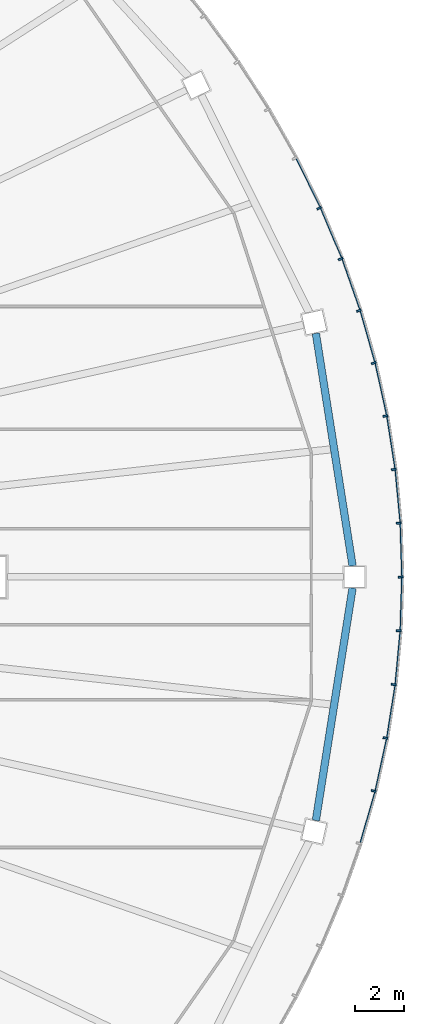
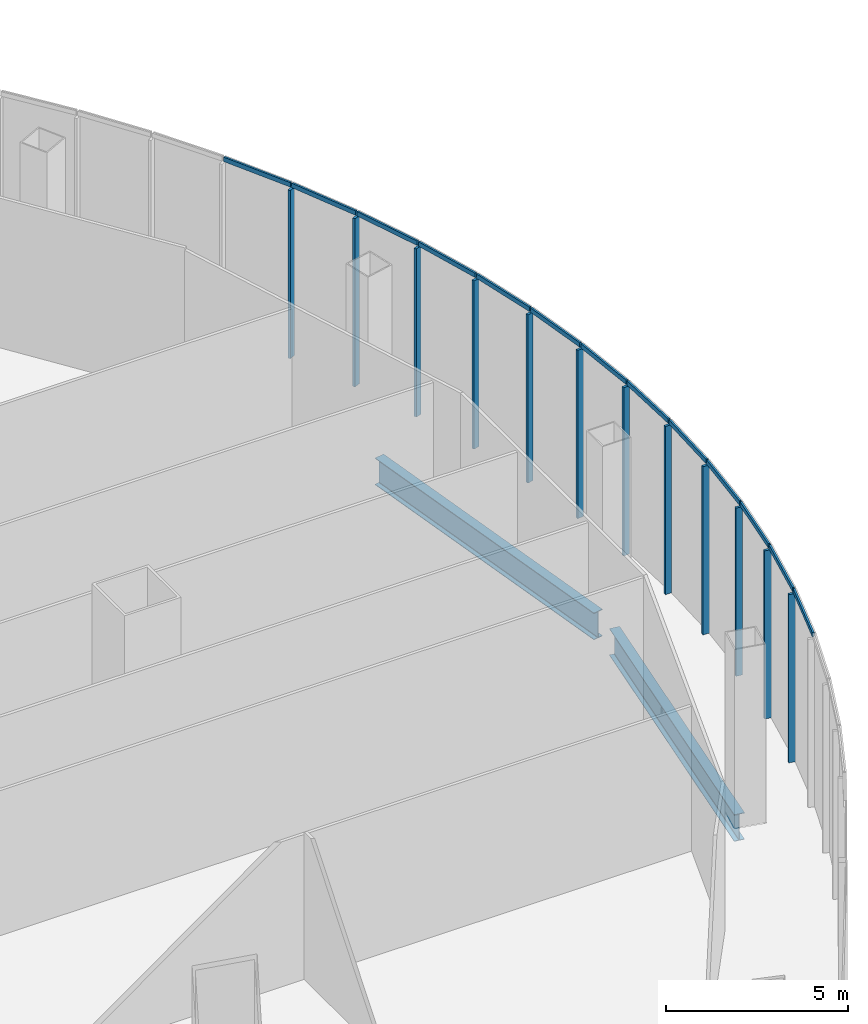
# One storey, part 12 of 37: 25 members, 2 beams, 3 elements without a shape of their own.
"""IFC4 building model written with IfcOpenShell, lengths in metres."""

from ifc_helpers import new_model, si_unit, direction, frame, origin, origin_2d, place, context, subcontext, project, spatial, rectangle, i_section, extrude, material, layer, layer_set, material_profile, profile_set, type_object, element, aggregate, save


model = new_model("IFC4")

# Units and contexts
model_context = context("Model", 3, precision=1e-05, world=origin(), true_north=direction((0.0, 1.0)))
body_context = subcontext(model_context, "Body", "Model", "MODEL_VIEW")
ifc_project = project(units=[si_unit("LENGTHUNIT", "METRE"), si_unit("AREAUNIT", "SQUARE_METRE"), si_unit("VOLUMEUNIT", "CUBIC_METRE"), si_unit("PLANEANGLEUNIT", "RADIAN"), si_unit("MASSUNIT", "GRAM", prefix="KILO")], contexts=[model_context])

# Site, building, storey
site_placement = place(None, origin())
site = spatial("IfcSite", under=ifc_project, at=site_placement, CompositionType="ELEMENT")
building_placement = place(site_placement, origin())
building = spatial("IfcBuilding", under=site, at=building_placement, Name="Sahrelin Media Tower", CompositionType="ELEMENT")
storey_placement = place(building_placement, frame((0.0, 0.0, 31.39990234375)))
storey = spatial("IfcBuildingStorey", under=building, at=storey_placement, Name="L04", CompositionType="ELEMENT", Elevation=31.39990234375)

# Curtain wall, members
ifc_material_1 = material(Name="Champagne anodised aluminium 6063-T6", Category="aluminium")
ifc_layer = layer(ifc_material_1, 0.14990234375)
ifc_layer_set = layer_set([ifc_layer], Name="Podium ribbon curtain wall")
curtain_wall_type = type_object("IfcCurtainWallType", Name="Podium ribbon curtain wall", PredefinedType="NOTDEFINED", material=ifc_layer_set)
curtain_wall_1_placement = place(storey_placement, frame((50.0, 0.0, 0.0), z_axis=(0.0, 0.0, 1.0), x_axis=(1.0, 0.0, 0.0)))
curtain_wall_1 = element("IfcCurtainWall", 1, at=curtain_wall_1_placement, inside=storey, type_object=curtain_wall_type, Name="L04:CW:L04-P00", PredefinedType="NOTDEFINED")
ifc_material_profile_1 = material_profile(ifc_material_1, rectangle(XDim=0.080078125, YDim=0.199951171875, at=origin_2d()), Name="Mullion 80x200")
ifc_profile_set_1 = profile_set([ifc_material_profile_1], Name="Champagne anodised aluminium 6063-T6")
member_type_1 = type_object("IfcMemberType", Name="Mullion 80x200 CW5", PredefinedType="MULLION", material=ifc_profile_set_1)
member_1_placement = place(storey_placement, frame((49.880126953125, -0.003662109375, 0.0), z_axis=(0.0, 0.0, 1.0), x_axis=(-0.031147343317, 0.999514803794, 0.0)))
member_1 = element("IfcMember", 2, at=member_1_placement, type_object=member_type_1, Name="L04:CWM1:L04-P00", PredefinedType="MULLION", context=body_context, shape_type="SweptSolid", body=[
    extrude(rectangle(XDim=0.080078125, YDim=0.199951171875, at=origin_2d()), origin(), (0.0, 0.0, 1.0), 5.650146484375),
])
member_2_placement = place(storey_placement, frame((49.81201171875, 2.18701171875, 0.0), z_axis=(0.0, 0.0, 1.0), x_axis=(-0.09329161754, 0.995638827134, 0.0)))
member_2 = element("IfcMember", 3, at=member_2_placement, type_object=member_type_1, Name="L04:CWM2:L04-P00", PredefinedType="MULLION", context=body_context, shape_type="SweptSolid", body=[
    extrude(rectangle(XDim=0.080078125, YDim=0.199951171875, at=origin_2d()), origin(), (0.0, 0.0, 1.0), 5.650146484375),
])
member_3_placement = place(storey_placement, frame((49.607421875, 4.37158203125, 0.0), z_axis=(0.0, 0.0, 1.0), x_axis=(-0.154851778565, 0.987937713965, 0.0)))
member_3 = element("IfcMember", 4, at=member_3_placement, type_object=member_type_1, Name="L04:CWM3:L04-P00", PredefinedType="MULLION", context=body_context, shape_type="SweptSolid", body=[
    extrude(rectangle(XDim=0.080078125, YDim=0.199951171875, at=origin_2d()), origin(), (0.0, 0.0, 1.0), 5.650146484375),
])
member_4_placement = place(storey_placement, frame((49.26708984375, 6.544189453125, 0.0), z_axis=(0.0, 0.0, 1.0), x_axis=(-0.215437572845, 0.976517614898, 0.0)))
member_4 = element("IfcMember", 5, at=member_4_placement, type_object=member_type_1, Name="L04:CWM4:L04-P00", PredefinedType="MULLION", context=body_context, shape_type="SweptSolid", body=[
    extrude(rectangle(XDim=0.080078125, YDim=0.199951171875, at=origin_2d()), origin(), (0.0, 0.0, 1.0), 5.650146484375),
])
member_5_placement = place(storey_placement, frame((48.7919921875, 8.69921875, 0.0), z_axis=(0.0, 0.0, 1.0), x_axis=(-0.274810138831, 0.961498511489, 0.0)))
member_5 = element("IfcMember", 6, at=member_5_placement, type_object=member_type_1, Name="L04:CWM5:L04-P00", PredefinedType="MULLION", context=body_context, shape_type="SweptSolid", body=[
    extrude(rectangle(XDim=0.080078125, YDim=0.199951171875, at=origin_2d()), origin(), (0.0, 0.0, 1.0), 5.650146484375),
])

curtain_wall_2_placement = place(storey_placement, frame((48.29638671875, 10.870361328125, 0.0), z_axis=(0.0, 0.0, 1.0), x_axis=(1.0, 0.0, 0.0)))
curtain_wall_2 = element("IfcCurtainWall", 7, at=curtain_wall_2_placement, inside=storey, type_object=curtain_wall_type, Name="L04:CW:L04-P01", PredefinedType="NOTDEFINED")
member_6_placement = place(storey_placement, frame((48.18310546875, 10.83056640625, 0.0), z_axis=(0.0, 0.0, 1.0), x_axis=(-0.332579242691, 0.943075313711, 0.0)))
member_6 = element("IfcMember", 8, at=member_6_placement, type_object=member_type_1, Name="L04:CWM1:L04-P01", PredefinedType="MULLION", context=body_context, shape_type="SweptSolid", body=[
    extrude(rectangle(XDim=0.080078125, YDim=0.199951171875, at=origin_2d()), origin(), (0.0, 0.0, 1.0), 5.650146484375),
])
member_7_placement = place(storey_placement, frame((47.442138671875, 12.93212890625, 0.0), z_axis=(0.0, 0.0, 1.0), x_axis=(-0.388450189752, 0.921469722824, 0.0)))
member_7 = element("IfcMember", 9, at=member_7_placement, type_object=member_type_1, Name="L04:CWM2:L04-P01", PredefinedType="MULLION", context=body_context, shape_type="SweptSolid", body=[
    extrude(rectangle(XDim=0.080078125, YDim=0.199951171875, at=origin_2d()), origin(), (0.0, 0.0, 1.0), 5.650146484375),
])
member_8_placement = place(storey_placement, frame((46.5712890625, 14.998291015625, 0.0), z_axis=(0.0, 0.0, 1.0), x_axis=(-0.442262079274, 0.896885864108, 0.0)))
member_8 = element("IfcMember", 10, at=member_8_placement, type_object=member_type_1, Name="L04:CWM3:L04-P01", PredefinedType="MULLION", context=body_context, shape_type="SweptSolid", body=[
    extrude(rectangle(XDim=0.080078125, YDim=0.199951171875, at=origin_2d()), origin(), (0.0, 0.0, 1.0), 5.650146484375),
])

curtain_wall_3_placement = place(storey_placement, frame((48.29638671875, -10.870361328125, 0.0), z_axis=(0.0, 0.0, 1.0), x_axis=(1.0, 0.0, 0.0)))
curtain_wall_3 = element("IfcCurtainWall", 11, at=curtain_wall_3_placement, inside=storey, type_object=curtain_wall_type, Name="L04:CW:L04-P23", PredefinedType="NOTDEFINED")
member_9_placement = place(storey_placement, frame((48.790283203125, -8.706298828125, 0.0), z_axis=(0.0, 0.0, 1.0), x_axis=(0.215437572845, 0.976517614898, 0.0)))
member_9 = element("IfcMember", 12, at=member_9_placement, type_object=member_type_1, Name="L04:CWM2:L04-P23", PredefinedType="MULLION", context=body_context, shape_type="SweptSolid", body=[
    extrude(rectangle(XDim=0.080078125, YDim=0.199951171875, at=origin_2d()), origin(), (0.0, 0.0, 1.0), 5.650146484375),
])
member_10_placement = place(storey_placement, frame((49.265869140625, -6.551513671875, 0.0), z_axis=(0.0, 0.0, 1.0), x_axis=(0.154851778565, 0.987937713965, 0.0)))
member_10 = element("IfcMember", 13, at=member_10_placement, type_object=member_type_1, Name="L04:CWM3:L04-P23", PredefinedType="MULLION", context=body_context, shape_type="SweptSolid", body=[
    extrude(rectangle(XDim=0.080078125, YDim=0.199951171875, at=origin_2d()), origin(), (0.0, 0.0, 1.0), 5.650146484375),
])
member_11_placement = place(storey_placement, frame((49.606689453125, -4.37890625, 0.0), z_axis=(0.0, 0.0, 1.0), x_axis=(0.09329161754, 0.995638827134, 0.0)))
member_11 = element("IfcMember", 14, at=member_11_placement, type_object=member_type_1, Name="L04:CWM4:L04-P23", PredefinedType="MULLION", context=body_context, shape_type="SweptSolid", body=[
    extrude(rectangle(XDim=0.080078125, YDim=0.199951171875, at=origin_2d()), origin(), (0.0, 0.0, 1.0), 5.650146484375),
])
member_12_placement = place(storey_placement, frame((49.8115234375, -2.1943359375, 0.0), z_axis=(0.0, 0.0, 1.0), x_axis=(0.031147343317, 0.999514803794, 0.0)))
member_12 = element("IfcMember", 15, at=member_12_placement, type_object=member_type_1, Name="L04:CWM5:L04-P23", PredefinedType="MULLION", context=body_context, shape_type="SweptSolid", body=[
    extrude(rectangle(XDim=0.080078125, YDim=0.199951171875, at=origin_2d()), origin(), (0.0, 0.0, 1.0), 5.650146484375),
])

# Beams
ifc_material_2 = material(Name="Steel S355", Category="steel")
ifc_material_profile_2 = material_profile(ifc_material_2, i_section(OverallWidth=0.30322265625, OverallDepth=0.903076171875, WebThickness=0.01513671875, FlangeThickness=0.020263671875, FilletRadius=0.01904296875, at=origin_2d()), Name="UB 914x305x201")
ifc_profile_set_2 = profile_set([ifc_material_profile_2], Name="Steel S355")
beam_type = type_object("IfcBeamType", Name="Podium edge girder PE11", PredefinedType="BEAM", material=ifc_profile_set_2)
for number, where, z_axis, x_axis, name in (
    (16, (47.928955078125, 0.449951171875, -0.6513671875), (-0.156048991104, 0.987749316565, 0.0), (-0.987749316565, -0.156048991104, 0.0), "Podium edge girder L04-01"),
    (17, (46.434814453125, -9.907470703125, -0.6513671875), (0.156048991104, 0.987749316565, 0.0), (-0.987749316565, 0.156048991104, 0.0), "Podium edge girder L04-24"),
):
    element("IfcBeam", number, at=place(storey_placement, frame(where, z_axis=z_axis, x_axis=x_axis)), inside=storey, type_object=beam_type, Name=name, PredefinedType="BEAM", context=body_context, shape_type="SweptSolid", body=[
        extrude(i_section(OverallWidth=0.30322265625, OverallDepth=0.903076171875, WebThickness=0.01513671875, FlangeThickness=0.020263671875, FilletRadius=0.01904296875, at=origin_2d()), origin(), (0.0, 0.0, 1.0), 9.57470703125),
    ])

# Member
ifc_material_profile_3 = material_profile(ifc_material_1, rectangle(XDim=0.06005859375, YDim=0.14990234375, at=origin_2d()), Name="Transom 60x150")
ifc_profile_set_3 = profile_set([ifc_material_profile_3], Name="Champagne anodised aluminium 6063-T6")
member_type_2 = type_object("IfcMemberType", Name="Transom 60x150 CW5", PredefinedType="USERDEFINED", material=ifc_profile_set_3)
member_13_placement = place(storey_placement, frame((49.948486328125, 0.04833984375, 5.72509765625), z_axis=(-0.031124815153, 0.999515505573, 0.0), x_axis=(-0.999515505573, -0.031124815153, 0.0)))
member_13 = element("IfcMember", 18, at=member_13_placement, type_object=member_type_2, Name="L04:CWT1a:L04-P00", ObjectType="TRANSOM", PredefinedType="USERDEFINED", context=body_context, shape_type="SweptSolid", body=[
    extrude(rectangle(XDim=0.06005859375, YDim=0.14990234375, at=origin_2d()), origin(), (0.0, 0.0, 1.0), 2.149169921875),
])

member_14_placement = place(storey_placement, frame((49.877197265625, 2.2431640625, 5.72509765625), z_axis=(-0.093379371436, 0.99563060067, 0.0), x_axis=(-0.99563060067, -0.093379371436, 0.0)))
member_14 = element("IfcMember", 19, at=member_14_placement, type_object=member_type_2, Name="L04:CWT2a:L04-P00", ObjectType="TRANSOM", PredefinedType="USERDEFINED", context=body_context, shape_type="SweptSolid", body=[
    extrude(rectangle(XDim=0.06005859375, YDim=0.14990234375, at=origin_2d()), origin(), (0.0, 0.0, 1.0), 2.15185546875),
])

member_15_placement = place(storey_placement, frame((49.6689453125, 4.431884765625, 5.72509765625), z_axis=(-0.154863781247, 0.987935832561, 0.0), x_axis=(-0.987935832561, -0.154863781247, 0.0)))
member_15 = element("IfcMember", 20, at=member_15_placement, type_object=member_type_2, Name="L04:CWT3a:L04-P00", ObjectType="TRANSOM", PredefinedType="USERDEFINED", context=body_context, shape_type="SweptSolid", body=[
    extrude(rectangle(XDim=0.06005859375, YDim=0.14990234375, at=origin_2d()), origin(), (0.0, 0.0, 1.0), 2.15673828125),
])

member_16_placement = place(storey_placement, frame((49.32470703125, 6.6083984375, 5.72509765625), z_axis=(-0.215389086642, 0.976528310575, 0.0), x_axis=(-0.976528310575, -0.215389086642, 0.0)))
member_16 = element("IfcMember", 21, at=member_16_placement, type_object=member_type_2, Name="L04:CWT4a:L04-P00", ObjectType="TRANSOM", PredefinedType="USERDEFINED", context=body_context, shape_type="SweptSolid", body=[
    extrude(rectangle(XDim=0.06005859375, YDim=0.14990234375, at=origin_2d()), origin(), (0.0, 0.0, 1.0), 2.163818359375),
])

member_17_placement = place(storey_placement, frame((48.845703125, 8.7666015625, 5.72509765625), z_axis=(-0.274824960972, 0.961494274984, 0.0), x_axis=(-0.961494274984, -0.274824960972, 0.0)))
member_17 = element("IfcMember", 22, at=member_17_placement, type_object=member_type_2, Name="L04:CWT5a:L04-P00", ObjectType="TRANSOM", PredefinedType="USERDEFINED", context=body_context, shape_type="SweptSolid", body=[
    extrude(rectangle(XDim=0.06005859375, YDim=0.14990234375, at=origin_2d()), origin(), (0.0, 0.0, 1.0), 2.173828125),
])

aggregate(curtain_wall_1, [member_1, member_13, member_2, member_14, member_3, member_15, member_4, member_16, member_5, member_17])

member_18_placement = place(storey_placement, frame((48.232421875, 10.90087890625, 5.72509765625), z_axis=(-0.332533804203, 0.943091336543, 0.0), x_axis=(-0.943091336543, -0.332533804203, 0.0)))
member_18 = element("IfcMember", 23, at=member_18_placement, type_object=member_type_2, Name="L04:CWT1a:L04-P01", ObjectType="TRANSOM", PredefinedType="USERDEFINED", context=body_context, shape_type="SweptSolid", body=[
    extrude(rectangle(XDim=0.06005859375, YDim=0.14990234375, at=origin_2d()), origin(), (0.0, 0.0, 1.0), 2.185546875),
])

member_19_placement = place(storey_placement, frame((47.4873046875, 13.00537109375, 5.72509765625), z_axis=(-0.388513504785, 0.921443029492, 0.0), x_axis=(-0.921443029492, -0.388513504785, 0.0)))
member_19 = element("IfcMember", 24, at=member_19_placement, type_object=member_type_2, Name="L04:CWT2a:L04-P01", ObjectType="TRANSOM", PredefinedType="USERDEFINED", context=body_context, shape_type="SweptSolid", body=[
    extrude(rectangle(XDim=0.06005859375, YDim=0.14990234375, at=origin_2d()), origin(), (0.0, 0.0, 1.0), 2.199462890625),
])

member_20_placement = place(storey_placement, frame((46.612060546875, 15.07421875, 5.72509765625), z_axis=(-0.442224467513, 0.896904409808, 0.0), x_axis=(-0.896904409808, -0.442224467513, 0.0)))
member_20 = element("IfcMember", 25, at=member_20_placement, type_object=member_type_2, Name="L04:CWT3a:L04-P01", ObjectType="TRANSOM", PredefinedType="USERDEFINED", context=body_context, shape_type="SweptSolid", body=[
    extrude(rectangle(XDim=0.06005859375, YDim=0.14990234375, at=origin_2d()), origin(), (0.0, 0.0, 1.0), 2.21484375),
])

aggregate(curtain_wall_2, [member_6, member_18, member_7, member_19, member_8, member_20])

member_21_placement = place(storey_placement, frame((48.261962890625, -10.80859375, 5.72509765625), z_axis=(0.274824960972, 0.961494274984, 0.0), x_axis=(-0.961494274984, 0.274824960972, 0.0)))
member_21 = element("IfcMember", 26, at=member_21_placement, type_object=member_type_2, Name="L04:CWT1a:L04-P23", ObjectType="TRANSOM", PredefinedType="USERDEFINED", context=body_context, shape_type="SweptSolid", body=[
    extrude(rectangle(XDim=0.06005859375, YDim=0.14990234375, at=origin_2d()), origin(), (0.0, 0.0, 1.0), 2.173828125),
])

member_22_placement = place(storey_placement, frame((48.869384765625, -8.672607421875, 5.72509765625), z_axis=(0.21547293686, 0.976509812281, 0.0), x_axis=(-0.976509812281, 0.21547293686, 0.0)))
member_22 = element("IfcMember", 27, at=member_22_placement, type_object=member_type_2, Name="L04:CWT2a:L04-P23", ObjectType="TRANSOM", PredefinedType="USERDEFINED", context=body_context, shape_type="SweptSolid", body=[
    extrude(rectangle(XDim=0.06005859375, YDim=0.14990234375, at=origin_2d()), origin(), (0.0, 0.0, 1.0), 2.1640625),
])

member_23_placement = place(storey_placement, frame((49.3427734375, -6.51318359375, 5.72509765625), z_axis=(0.154863781247, 0.987935832561, 0.0), x_axis=(-0.987935832561, 0.154863781247, 0.0)))
member_23 = element("IfcMember", 28, at=member_23_placement, type_object=member_type_2, Name="L04:CWT3a:L04-P23", ObjectType="TRANSOM", PredefinedType="USERDEFINED", context=body_context, shape_type="SweptSolid", body=[
    extrude(rectangle(XDim=0.06005859375, YDim=0.14990234375, at=origin_2d()), origin(), (0.0, 0.0, 1.0), 2.15673828125),
])

member_24_placement = place(storey_placement, frame((49.680908203125, -4.335693359375, 5.72509765625), z_axis=(0.093266896829, 0.995641143161, 0.0), x_axis=(-0.995641143161, 0.093266896829, 0.0)))
member_24 = element("IfcMember", 29, at=member_24_placement, type_object=member_type_2, Name="L04:CWT4a:L04-P23", ObjectType="TRANSOM", PredefinedType="USERDEFINED", context=body_context, shape_type="SweptSolid", body=[
    extrude(rectangle(XDim=0.06005859375, YDim=0.14990234375, at=origin_2d()), origin(), (0.0, 0.0, 1.0), 2.151611328125),
])

member_25_placement = place(storey_placement, frame((49.883056640625, -2.146484375, 5.72509765625), z_axis=(0.031124815153, 0.999515505573, 0.0), x_axis=(-0.999515505573, 0.031124815153, 0.0)))
member_25 = element("IfcMember", 30, at=member_25_placement, type_object=member_type_2, Name="L04:CWT5a:L04-P23", ObjectType="TRANSOM", PredefinedType="USERDEFINED", context=body_context, shape_type="SweptSolid", body=[
    extrude(rectangle(XDim=0.06005859375, YDim=0.14990234375, at=origin_2d()), origin(), (0.0, 0.0, 1.0), 2.149169921875),
])

aggregate(curtain_wall_3, [member_21, member_9, member_22, member_10, member_23, member_11, member_24, member_12, member_25])

save(model, "model.ifc")
